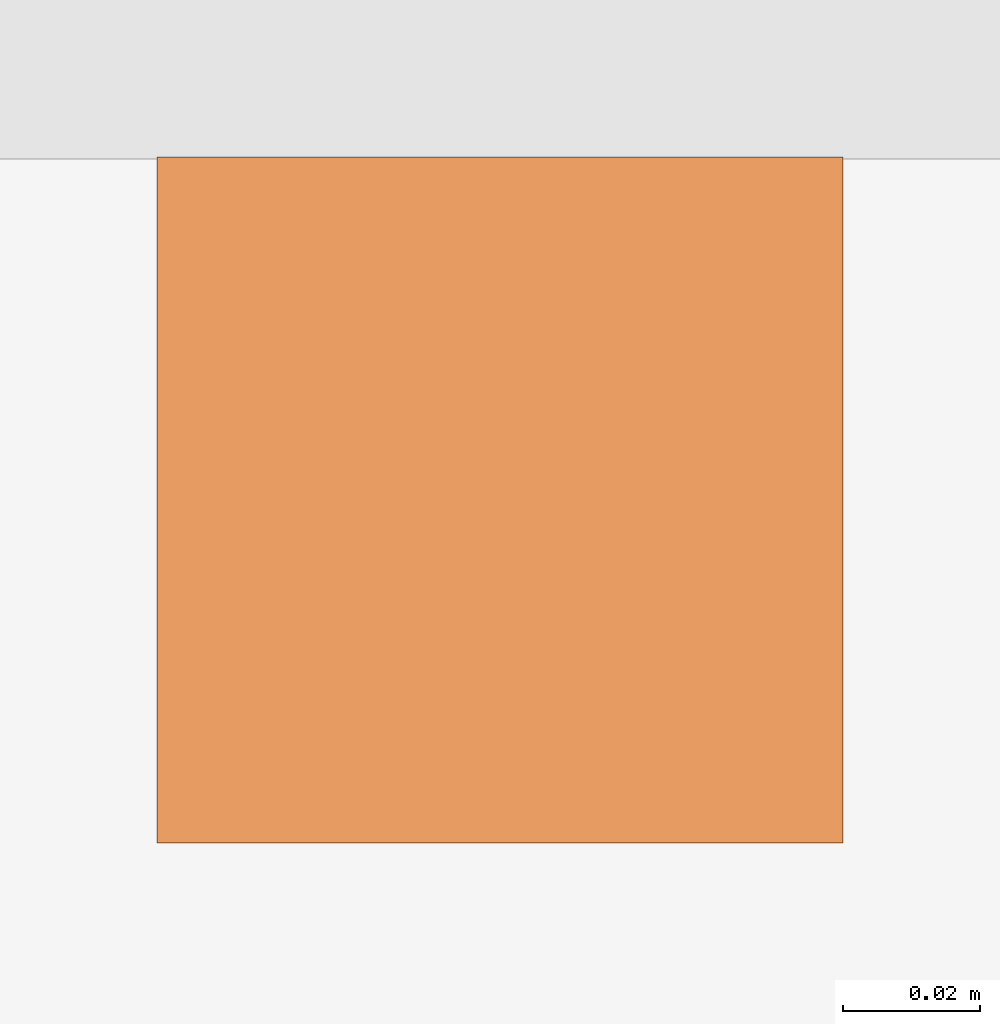
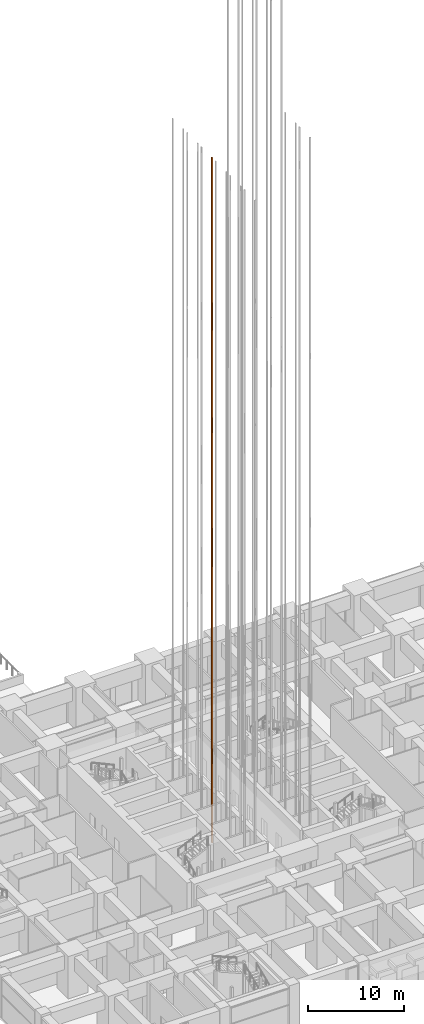
# One storey, part 68 of 81: 1 proxy.
"""IFC4 building model written with IfcOpenShell, lengths in metres."""

from ifc_helpers import new_model, si_unit, direction, frame, origin, origin_2d, place, context, subcontext, project, spatial, rectangle, extrude, material, type_object, element, save


model = new_model("IFC4")

# Units and contexts
model_context = context("Model", 3, precision=1e-05, world=origin(), true_north=direction((0.0, 1.0)))
body_context = subcontext(model_context, "Body", "Model", "MODEL_VIEW")
ifc_project = project(units=[si_unit("LENGTHUNIT", "METRE"), si_unit("AREAUNIT", "SQUARE_METRE"), si_unit("VOLUMEUNIT", "CUBIC_METRE"), si_unit("PLANEANGLEUNIT", "RADIAN"), si_unit("MASSUNIT", "GRAM", prefix="KILO")], contexts=[model_context])

# Site, building, storey
site_placement = place(None, origin())
site = spatial("IfcSite", under=ifc_project, at=site_placement, CompositionType="ELEMENT")
building_placement = place(site_placement, origin())
building = spatial("IfcBuilding", under=site, at=building_placement, Name="Rekha Terrace Tower", CompositionType="ELEMENT")
storey_placement = place(building_placement, origin())
storey = spatial("IfcBuildingStorey", under=building, at=storey_placement, Name="L00", CompositionType="ELEMENT", Elevation=0.0)

# Proxy
ifc_material = material(Name="Steel guide rail", Category="steel")
building_element_proxy_type = type_object("IfcBuildingElementProxyType", Name="LR1 100 lift guide rail", PredefinedType="ELEMENT", material=ifc_material)
proxy_placement = place(storey_placement, frame((34.5, 32.800048828125, 0.0), z_axis=(0.0, 0.0, 1.0), x_axis=(1.0, 0.0, 0.0)))
element("IfcBuildingElementProxy", 1, at=proxy_placement, inside=storey, type_object=building_element_proxy_type, Name="Lift A4 guide rail 1", PredefinedType="ELEMENT", context=body_context, shape_type="SweptSolid", body=[
    extrude(rectangle(XDim=0.10009765625, YDim=0.10009765625, at=origin_2d()), origin(), (0.0, 0.0, 1.0), 87.5),
])

save(model, "model.ifc")
